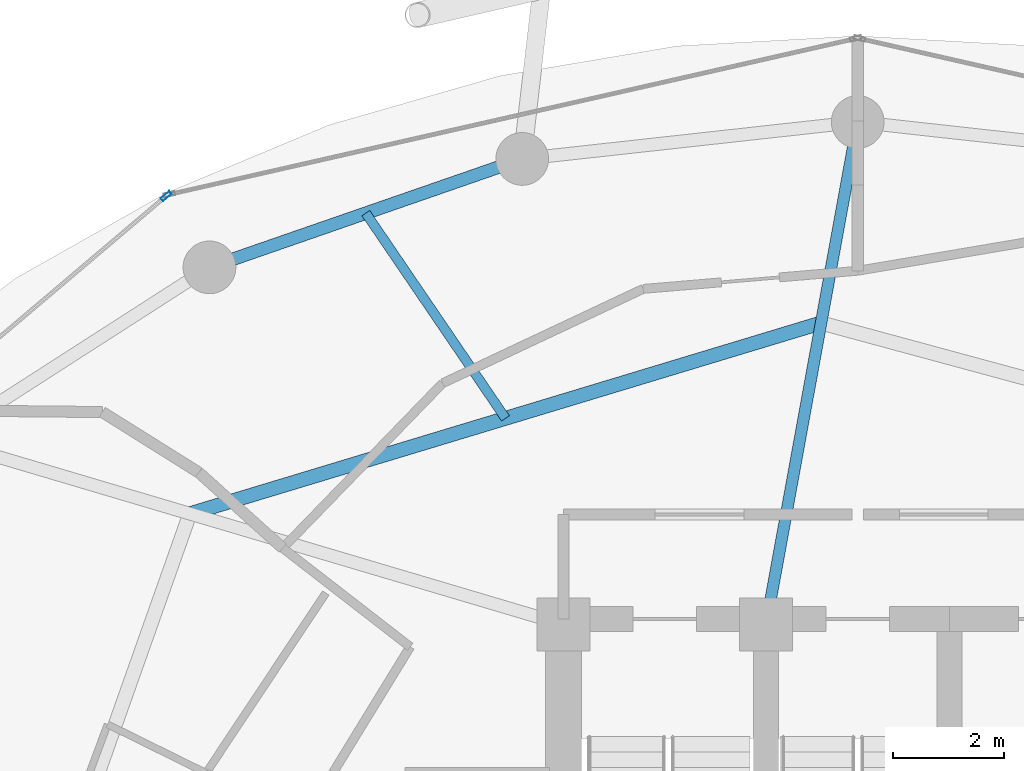
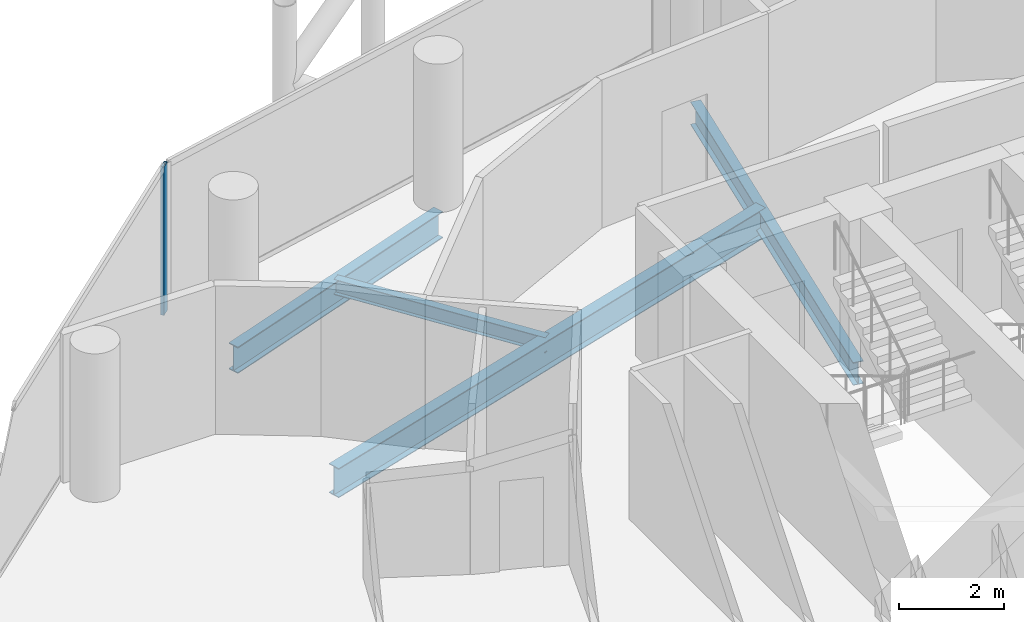
# One storey, part 15 of 26: 4 beams, 1 member, 1 element without a shape of its own.
"""IFC4 building model written with IfcOpenShell, lengths in metres."""

from ifc_helpers import new_model, si_unit, direction, frame, origin, origin_2d, place, context, subcontext, project, spatial, hollow_rectangle, i_section, extrude, material, layer, layer_set, material_profile, profile_set, type_object, element, aggregate, save


model = new_model("IFC4")

# Units and contexts
model_context = context("Model", 3, precision=1e-05, world=origin(), true_north=direction((0.0, 1.0)))
body_context = subcontext(model_context, "Body", "Model", "MODEL_VIEW")
ifc_project = project(units=[si_unit("LENGTHUNIT", "METRE"), si_unit("AREAUNIT", "SQUARE_METRE"), si_unit("VOLUMEUNIT", "CUBIC_METRE"), si_unit("PLANEANGLEUNIT", "RADIAN"), si_unit("MASSUNIT", "GRAM", prefix="KILO")], contexts=[model_context])

# Site, building, storey
site_placement = place(None, origin())
site = spatial("IfcSite", under=ifc_project, at=site_placement, CompositionType="ELEMENT")
building_placement = place(site_placement, origin())
building = spatial("IfcBuilding", under=site, at=building_placement, Name="Nuhasar Tower", CompositionType="ELEMENT")
storey_placement = place(building_placement, frame((0.0, 0.0, 177.449951171875)))
storey = spatial("IfcBuildingStorey", under=building, at=storey_placement, Name="L43", CompositionType="ELEMENT", Elevation=177.449951171875)

# Beams
ifc_material_1 = material(Name="Steel S355", Category="steel")
ifc_material_profile_1 = material_profile(ifc_material_1, i_section(OverallWidth=0.25390625, OverallDepth=0.68408203125, WebThickness=0.012451171875, FlangeThickness=0.018798828125, at=origin_2d()), Name="W27X94")
ifc_profile_set_1 = profile_set([ifc_material_profile_1], Name="Steel S355")
beam_type_1 = type_object("IfcBeamType", Name="BM-INRING-W27X94", PredefinedType="BEAM", material=ifc_profile_set_1)
beam_1_placement = place(storey_placement, frame((38.340087890625, 42.72998046875, -0.592041015625), z_axis=(-0.95722440557, -0.289346569673, 0.0), x_axis=(0.289346569673, -0.95722440557, 0.0)))
element("IfcBeam", 1, at=beam_1_placement, inside=storey, type_object=beam_type_1, Name="L43 Inner Header Beam 06", PredefinedType="BEAM", context=body_context, shape_type="SweptSolid", body=[
    extrude(i_section(OverallWidth=0.25390625, OverallDepth=0.68408203125, WebThickness=0.012451171875, FlangeThickness=0.018798828125, at=origin_2d()), origin(), (0.0, 0.0, 1.0), 11.875244140625),
])
ifc_material_profile_2 = material_profile(ifc_material_1, i_section(OverallWidth=0.1708984375, OverallDepth=0.35205078125, WebThickness=0.0068359375, FlangeThickness=0.009765625, at=origin_2d()), Name="W14X30")
ifc_profile_set_2 = profile_set([ifc_material_profile_2], Name="Steel S355")
beam_type_2 = type_object("IfcBeamType", Name="BM-JST-W14X30", PredefinedType="JOIST", material=ifc_profile_set_2)
beam_2_placement = place(storey_placement, frame((32.656982421875, 41.011962890625, -0.426025390625), z_axis=(-0.562802886474, 0.826591138941, 0.0), x_axis=(-0.826591138941, -0.562802886474, 0.0)))
element("IfcBeam", 2, at=beam_2_placement, inside=storey, type_object=beam_type_2, Name="L43 Secondary Floor Joist 06", PredefinedType="JOIST", context=body_context, shape_type="SweptSolid", body=[
    extrude(i_section(OverallWidth=0.1708984375, OverallDepth=0.35205078125, WebThickness=0.0068359375, FlangeThickness=0.009765625, at=origin_2d()), origin(), (0.0, 0.0, 1.0), 4.47021484375),
])
ifc_material_profile_3 = material_profile(ifc_material_1, i_section(OverallWidth=0.208984375, OverallDepth=0.532958984375, WebThickness=0.01025390625, FlangeThickness=0.015625, at=origin_2d()), Name="W21X62")
ifc_profile_set_3 = profile_set([ifc_material_profile_3], Name="Steel S355")
beam_type_3 = type_object("IfcBeamType", Name="BM-RAD-W21X62", PredefinedType="BEAM", material=ifc_profile_set_3)
beam_3_placement = place(storey_placement, frame((37.35009765625, 37.300048828125, -0.516845703125), z_axis=(0.179352509513, 0.983784873502, 0.0), x_axis=(-0.983784873502, 0.179352509513, 0.0)))
element("IfcBeam", 3, at=beam_3_placement, inside=storey, type_object=beam_type_3, Name="L43 Radial Floor Girder 06", PredefinedType="BEAM", context=body_context, shape_type="SweptSolid", body=[
    extrude(i_section(OverallWidth=0.208984375, OverallDepth=0.532958984375, WebThickness=0.01025390625, FlangeThickness=0.015625, at=origin_2d()), origin(), (0.0, 0.0, 1.0), 9.19921875),
])
ifc_material_profile_4 = material_profile(ifc_material_1, i_section(OverallWidth=0.22998046875, OverallDepth=0.616943359375, WebThickness=0.01318359375, FlangeThickness=0.022216796875, at=origin_2d()), Name="W24X94")
ifc_profile_set_4 = profile_set([ifc_material_profile_4], Name="Steel S355")
beam_type_4 = type_object("IfcBeamType", Name="BM-RING-W24X94", PredefinedType="SPANDREL", material=ifc_profile_set_4)
beam_4_placement = place(storey_placement, frame((32.95703125, 45.68408203125, -0.558837890625), z_axis=(-0.944801380051, -0.327643636066, 0.0), x_axis=(0.327643636066, -0.944801380051, 0.0)))
element("IfcBeam", 4, at=beam_4_placement, inside=storey, type_object=beam_type_4, Name="L43 Perimeter Ring Spandrel 08", PredefinedType="SPANDREL", context=body_context, shape_type="SweptSolid", body=[
    extrude(i_section(OverallWidth=0.22998046875, OverallDepth=0.616943359375, WebThickness=0.01318359375, FlangeThickness=0.022216796875, at=origin_2d()), origin(), (0.0, 0.0, 1.0), 5.961181640625),
])

# Curtain wall, member
ifc_material_2 = material(Name="Aluminium 6063-T6", Category="aluminium")
ifc_layer = layer(ifc_material_2, 0.199951171875)
ifc_layer_set = layer_set([ifc_layer], Name="Aluminium 6063-T6")
curtain_wall_type = type_object("IfcCurtainWallType", Name="CW-Z2-HTL", PredefinedType="NOTDEFINED", material=ifc_layer_set)
curtain_wall_placement = place(storey_placement, origin())
curtain_wall = element("IfcCurtainWall", 5, at=curtain_wall_placement, inside=storey, type_object=curtain_wall_type, Name="L43 Unitised Curtain Wall 05", PredefinedType="NOTDEFINED")
ifc_material_profile_5 = material_profile(ifc_material_2, hollow_rectangle(XDim=0.070068359375, YDim=0.199951171875, WallThickness=0.0048828125, at=origin_2d()), Name="CWM-3")
ifc_profile_set_5 = profile_set([ifc_material_profile_5], Name="Aluminium 6063-T6")
member_type = type_object("IfcMemberType", Name="CW-MUL-S3", PredefinedType="MULLION", material=ifc_profile_set_5)
member_placement = place(storey_placement, frame((26.543212890625, 45.015380859375, 0.0), z_axis=(0.0, 0.0, 1.0), x_axis=(0.646374438324, -0.763020370292, 0.0)))
member = element("IfcMember", 6, at=member_placement, type_object=member_type, Name="CW-Z2 mullion 1", PredefinedType="MULLION", context=body_context, shape_type="SweptSolid", body=[
    extrude(hollow_rectangle(XDim=0.070068359375, YDim=0.199951171875, WallThickness=0.0048828125, at=origin_2d()), origin(), (0.0, 0.0, 1.0), 3.449951171875),
])
aggregate(curtain_wall, [member])

save(model, "model.ifc")
